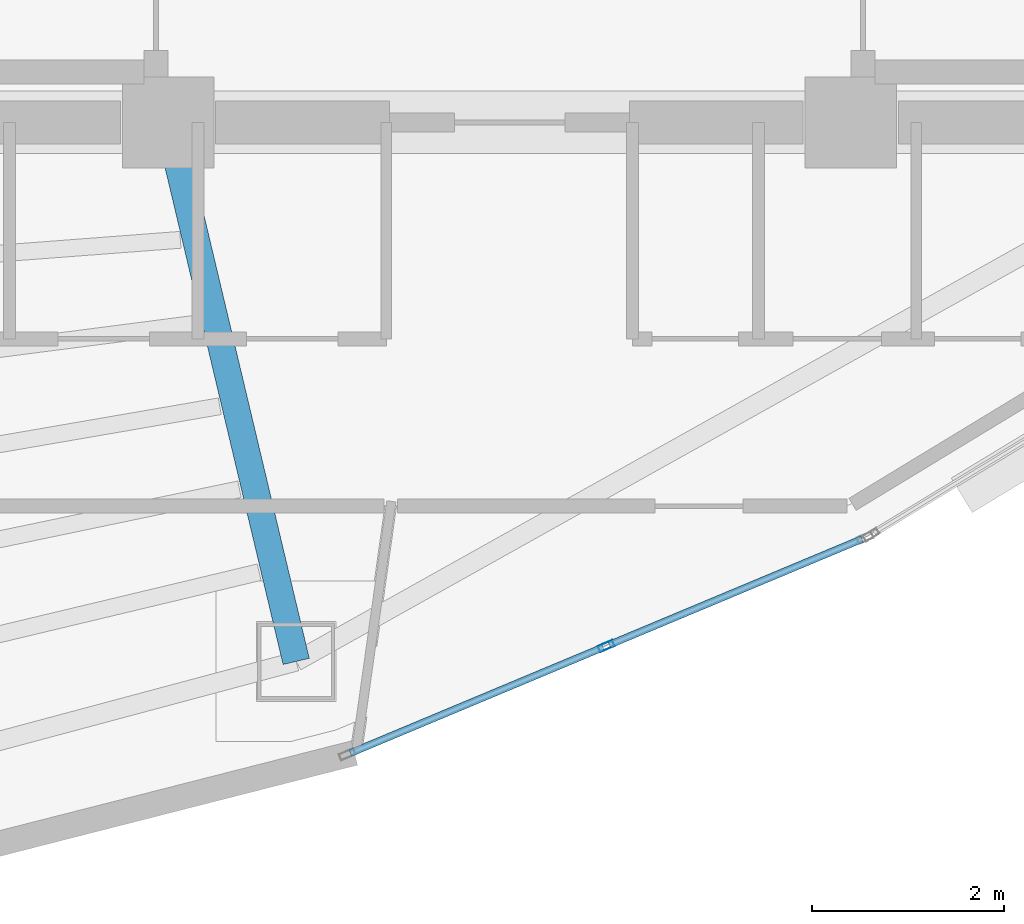
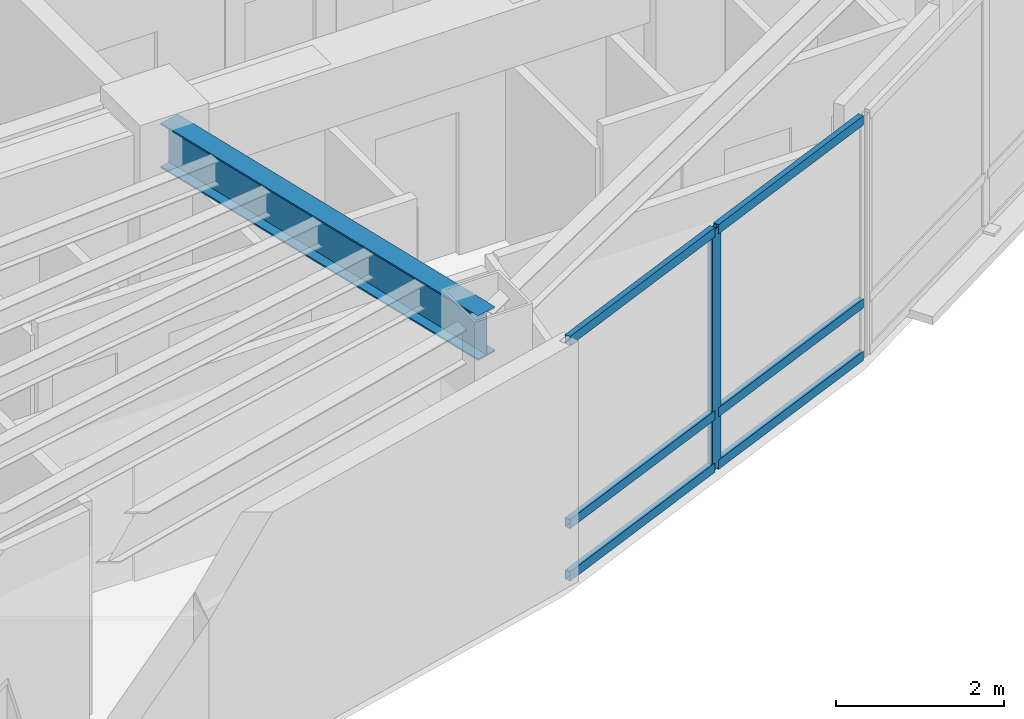
# One storey, part 3 of 15: 7 members, 1 beam, 1 element without a shape of its own.
"""IFC4 building model written with IfcOpenShell, lengths in metres."""

from ifc_helpers import new_model, si_unit, direction, frame, origin, origin_2d, place, context, subcontext, project, spatial, hollow_rectangle, i_section, extrude, material, layer, layer_set, material_profile, profile_set, type_object, element, aggregate, save


model = new_model("IFC4")

# Units and contexts
model_context = context("Model", 3, precision=1e-05, world=origin(), true_north=direction((0.0, 1.0)))
body_context = subcontext(model_context, "Body", "Model", "MODEL_VIEW")
ifc_project = project(units=[si_unit("LENGTHUNIT", "METRE"), si_unit("AREAUNIT", "SQUARE_METRE"), si_unit("VOLUMEUNIT", "CUBIC_METRE"), si_unit("PLANEANGLEUNIT", "RADIAN"), si_unit("MASSUNIT", "GRAM", prefix="KILO")], contexts=[model_context])

# Site, building, storey
site_placement = place(None, origin())
site = spatial("IfcSite", under=ifc_project, at=site_placement, CompositionType="ELEMENT")
building_placement = place(site_placement, origin())
building = spatial("IfcBuilding", under=site, at=building_placement, Name="Menara Vayukalpa", CompositionType="ELEMENT")
storey_placement = place(building_placement, frame((0.0, 0.0, 284.340087890625)))
storey = spatial("IfcBuildingStorey", under=building, at=storey_placement, Name="L72", CompositionType="ELEMENT", Elevation=284.340087890625)

# Beam
ifc_material_1 = material(Name="Steel S355", Category="steel")
ifc_material_profile_1 = material_profile(ifc_material_1, i_section(OverallWidth=0.280029296875, OverallDepth=0.64990234375, WebThickness=0.012939453125, FlangeThickness=0.02197265625, at=origin_2d()), Name="WF 650x280x13x22")
ifc_profile_set_1 = profile_set([ifc_material_profile_1], Name="Steel S355")
beam_type = type_object("IfcBeamType", Name="BM-PG6", PredefinedType="BEAM", material=ifc_profile_set_1)
beam_placement = place(storey_placement, frame((22.10791015625, 16.956787109375, 3.1748046875), z_axis=(0.231167310854, -0.972914011818, 0.0), x_axis=(0.972914011818, 0.231167310854, 0.0)))
element("IfcBeam", 1, at=beam_placement, inside=storey, type_object=beam_type, Name="L72 Primary Radial Girder RG08", PredefinedType="BEAM", context=body_context, shape_type="SweptSolid", body=[
    extrude(i_section(OverallWidth=0.280029296875, OverallDepth=0.64990234375, WebThickness=0.012939453125, FlangeThickness=0.02197265625, at=origin_2d()), origin(), (0.0, 0.0, 1.0), 5.5107421875),
])

# Curtain wall, members
ifc_material_2 = material(Name="Anodised Terracotta Aluminium Alloy 6063-T6", Category="masonry")
ifc_layer = layer(ifc_material_2, 0.1650390625)
ifc_layer_set = layer_set([ifc_layer], Name="Anodised Terracotta Aluminium Alloy 6063-T6")
curtain_wall_type = type_object("IfcCurtainWallType", Name="CW-CW6", PredefinedType="USERDEFINED", material=ifc_layer_set)
curtain_wall_placement = place(storey_placement, origin())
curtain_wall = element("IfcCurtainWall", 2, at=curtain_wall_placement, inside=storey, type_object=curtain_wall_type, Name="L72 Observation and Executive Curtain Wall CW6 16", ObjectType="UNITISED", PredefinedType="USERDEFINED")
ifc_material_3 = material(Name="Anodised Terracotta Aluminium Alloy 6063-T6", Category="masonry")
ifc_material_profile_2 = material_profile(ifc_material_3, hollow_rectangle(XDim=0.070068359375, YDim=0.1650390625, WallThickness=0.00390625, at=origin_2d()), Name="ALU 70x165x4")
ifc_profile_set_2 = profile_set([ifc_material_profile_2], Name="Anodised Terracotta Aluminium Alloy 6063-T6")
member_type_1 = type_object("IfcMemberType", Name="CWM-CW6", PredefinedType="MULLION", material=ifc_profile_set_2)
member_1_placement = place(storey_placement, frame((26.60595703125, 11.7548828125, 0.0), z_axis=(0.0, 0.0, 1.0), x_axis=(-0.385899911703, 0.922540653927, 0.0)))
member_1 = element("IfcMember", 3, at=member_1_placement, type_object=member_type_1, Name="CW6 mullion 2", PredefinedType="MULLION", context=body_context, shape_type="SweptSolid", body=[
    extrude(hollow_rectangle(XDim=0.070068359375, YDim=0.1650390625, WallThickness=0.00390625, at=origin_2d()), origin(), (0.0, 0.0, 1.0), 3.5),
])
ifc_material_4 = material(Name="Anodised Terracotta Aluminium Alloy 6063-T6", Category="masonry")
ifc_material_profile_3 = material_profile(ifc_material_4, hollow_rectangle(XDim=0.074951171875, YDim=0.135009765625, WallThickness=0.00390625, at=origin_2d()), Name="ALU 75x135x4")
ifc_profile_set_3 = profile_set([ifc_material_profile_3], Name="Anodised Terracotta Aluminium Alloy 6063-T6")
member_type_2 = type_object("IfcMemberType", Name="CWT-CW6", PredefinedType="USERDEFINED", material=ifc_profile_set_3)
member_2_placement = place(storey_placement, frame((23.945556640625, 10.64208984375, 0.037353515625), z_axis=(0.922541050276, 0.38589896418, 0.0), x_axis=(-0.38589896418, 0.922541050276, 0.0)))
member_2 = element("IfcMember", 4, at=member_2_placement, type_object=member_type_2, Name="CW6 transom 1.1", ObjectType="TRANSOM", PredefinedType="USERDEFINED", context=body_context, shape_type="SweptSolid", body=[
    extrude(hollow_rectangle(XDim=0.074951171875, YDim=0.135009765625, WallThickness=0.00390625, at=origin_2d()), origin(), (0.0, 0.0, 1.0), 2.848876953125),
])
member_3_placement = place(storey_placement, frame((23.945556640625, 10.64208984375, 0.7998046875), z_axis=(0.922541050276, 0.38589896418, 0.0), x_axis=(-0.38589896418, 0.922541050276, 0.0)))
member_3 = element("IfcMember", 5, at=member_3_placement, type_object=member_type_2, Name="CW6 transom 1.2", ObjectType="TRANSOM", PredefinedType="USERDEFINED", context=body_context, shape_type="SweptSolid", body=[
    extrude(hollow_rectangle(XDim=0.074951171875, YDim=0.135009765625, WallThickness=0.00390625, at=origin_2d()), origin(), (0.0, 0.0, 1.0), 2.848876953125),
])
member_4_placement = place(storey_placement, frame((23.945556640625, 10.64208984375, 3.46240234375), z_axis=(0.922541050276, 0.38589896418, 0.0), x_axis=(-0.38589896418, 0.922541050276, 0.0)))
member_4 = element("IfcMember", 6, at=member_4_placement, type_object=member_type_2, Name="CW6 transom 1.3", ObjectType="TRANSOM", PredefinedType="USERDEFINED", context=body_context, shape_type="SweptSolid", body=[
    extrude(hollow_rectangle(XDim=0.074951171875, YDim=0.135009765625, WallThickness=0.00390625, at=origin_2d()), origin(), (0.0, 0.0, 1.0), 2.848876953125),
])
member_5_placement = place(storey_placement, frame((26.638427734375, 11.768310546875, 0.037353515625), z_axis=(0.922528286758, 0.385929475592, 0.0), x_axis=(-0.385929475592, 0.922528286758, 0.0)))
member_5 = element("IfcMember", 7, at=member_5_placement, type_object=member_type_2, Name="CW6 transom 2.1", ObjectType="TRANSOM", PredefinedType="USERDEFINED", context=body_context, shape_type="SweptSolid", body=[
    extrude(hollow_rectangle(XDim=0.074951171875, YDim=0.135009765625, WallThickness=0.00390625, at=origin_2d()), origin(), (0.0, 0.0, 1.0), 2.8486328125),
])
member_6_placement = place(storey_placement, frame((26.638427734375, 11.768310546875, 0.7998046875), z_axis=(0.922528286758, 0.385929475592, 0.0), x_axis=(-0.385929475592, 0.922528286758, 0.0)))
member_6 = element("IfcMember", 8, at=member_6_placement, type_object=member_type_2, Name="CW6 transom 2.2", ObjectType="TRANSOM", PredefinedType="USERDEFINED", context=body_context, shape_type="SweptSolid", body=[
    extrude(hollow_rectangle(XDim=0.074951171875, YDim=0.135009765625, WallThickness=0.00390625, at=origin_2d()), origin(), (0.0, 0.0, 1.0), 2.8486328125),
])
member_7_placement = place(storey_placement, frame((26.638427734375, 11.768310546875, 3.46240234375), z_axis=(0.922528286758, 0.385929475592, 0.0), x_axis=(-0.385929475592, 0.922528286758, 0.0)))
member_7 = element("IfcMember", 9, at=member_7_placement, type_object=member_type_2, Name="CW6 transom 2.3", ObjectType="TRANSOM", PredefinedType="USERDEFINED", context=body_context, shape_type="SweptSolid", body=[
    extrude(hollow_rectangle(XDim=0.074951171875, YDim=0.135009765625, WallThickness=0.00390625, at=origin_2d()), origin(), (0.0, 0.0, 1.0), 2.8486328125),
])
aggregate(curtain_wall, [member_1, member_2, member_3, member_4, member_5, member_6, member_7])

save(model, "model.ifc")
